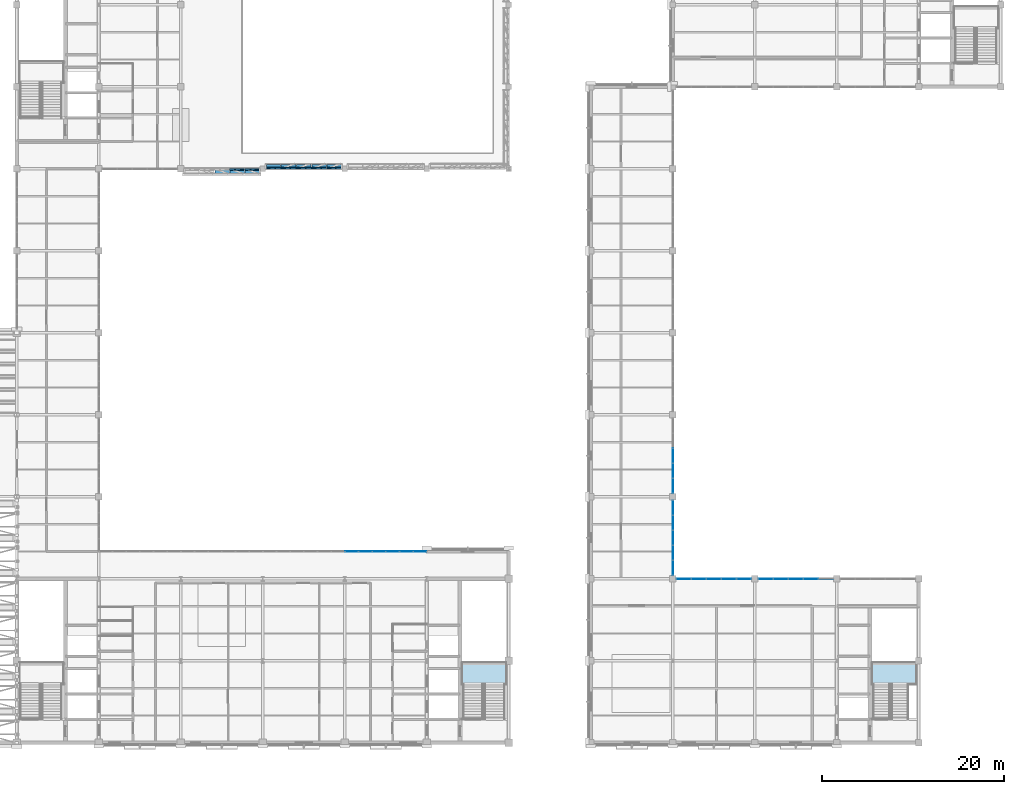
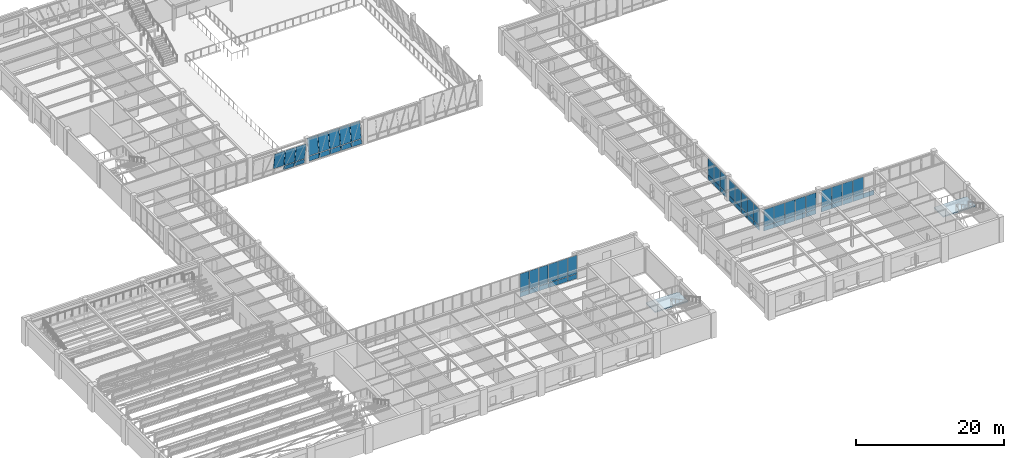
# One storey, part 82 of 108: 62 plates, 2 slabs, 9 elements without a shape of their own.
"""IFC4 building model written with IfcOpenShell, lengths in metres."""

from ifc_helpers import new_model, si_unit, direction, frame, origin, origin_2d, place, context, subcontext, project, spatial, polyline, rectangle, outline, extrude, material, layer, layer_set, type_object, element, aggregate, save


model = new_model("IFC4")

# Units and contexts
model_context = context("Model", 3, precision=1e-05, world=origin(), true_north=direction((0.0, 1.0)))
body_context = subcontext(model_context, "Body", "Model", "MODEL_VIEW")
ifc_project = project(units=[si_unit("LENGTHUNIT", "METRE"), si_unit("AREAUNIT", "SQUARE_METRE"), si_unit("VOLUMEUNIT", "CUBIC_METRE"), si_unit("PLANEANGLEUNIT", "RADIAN"), si_unit("MASSUNIT", "GRAM", prefix="KILO")], contexts=[model_context])

# Site, building, storey
site_placement = place(None, origin())
site = spatial("IfcSite", under=ifc_project, at=site_placement, CompositionType="ELEMENT")
building_placement = place(site_placement, origin())
building = spatial("IfcBuilding", under=site, at=building_placement, Name="Lykobir Media Centre", CompositionType="ELEMENT")
storey_placement = place(building_placement, frame((0.0, 0.0, 15.0)))
storey = spatial("IfcBuildingStorey", under=building, at=storey_placement, Name="L03", CompositionType="ELEMENT", Elevation=15.0)

# Curtain wall, plates
ifc_material_1 = material(Name="Anodized Aluminium AW-6060", Category="aluminium")
curtain_wall_type_1 = type_object("IfcCurtainWallType", Name="CW-COURT-B", PredefinedType="NOTDEFINED", material=ifc_material_1)
curtain_wall_1_placement = place(storey_placement, origin())
curtain_wall_1 = element("IfcCurtainWall", 1, at=curtain_wall_1_placement, inside=storey, type_object=curtain_wall_type_1, Name="Curtain wall CW2-L03-0114", PredefinedType="NOTDEFINED")
ifc_material_2 = material(Name="Low-E Laminated Triple Glazing", Category="glass")
ifc_layer_1 = layer(ifc_material_2, 0.0380859375, Name="Low-E Laminated Triple Glazing")
ifc_layer_set_1 = layer_set([ifc_layer_1], Name="Low-E Laminated Triple Glazing")
plate_type_1 = type_object("IfcPlateType", Name="CWP-GLZ-38", PredefinedType="CURTAIN_PANEL", material=ifc_layer_set_1)
plate_1_placement = place(storey_placement, frame((63.763916015625, 21.0, 0.87744140625), z_axis=(0.0, 0.0, 1.0), x_axis=(1.0, 0.0, 0.0)))
plate_1 = element("IfcPlate", 2, at=plate_1_placement, type_object=plate_type_1, Name="CW2-L03-0114 panel 1.2", PredefinedType="CURTAIN_PANEL", context=body_context, shape_type="SweptSolid", body=[
    extrude(rectangle(XDim=1.41748046875, YDim=0.0380859375, at=origin_2d()), origin(), (0.0, 0.0, 1.0), 3.007568359375),
])
plate_2_placement = place(storey_placement, frame((65.25, 21.0, 0.87744140625), z_axis=(0.0, 0.0, 1.0), x_axis=(1.0, 0.0, 0.0)))
plate_2 = element("IfcPlate", 3, at=plate_2_placement, type_object=plate_type_1, Name="CW2-L03-0114 panel 2.2", PredefinedType="CURTAIN_PANEL", context=body_context, shape_type="SweptSolid", body=[
    extrude(rectangle(XDim=1.445068359375, YDim=0.0380859375, at=origin_2d()), origin(), (0.0, 0.0, 1.0), 3.007568359375),
])
plate_3_placement = place(storey_placement, frame((66.75, 21.0, 0.87744140625), z_axis=(0.0, 0.0, 1.0), x_axis=(1.0, 0.0, 0.0)))
plate_3 = element("IfcPlate", 4, at=plate_3_placement, type_object=plate_type_1, Name="CW2-L03-0114 panel 3.2", PredefinedType="CURTAIN_PANEL", context=body_context, shape_type="SweptSolid", body=[
    extrude(rectangle(XDim=1.445068359375, YDim=0.0380859375, at=origin_2d()), origin(), (0.0, 0.0, 1.0), 3.007568359375),
])
plate_4_placement = place(storey_placement, frame((68.25, 21.0, 0.87744140625), z_axis=(0.0, 0.0, 1.0), x_axis=(1.0, 0.0, 0.0)))
plate_4 = element("IfcPlate", 5, at=plate_4_placement, type_object=plate_type_1, Name="CW2-L03-0114 panel 4.2", PredefinedType="CURTAIN_PANEL", context=body_context, shape_type="SweptSolid", body=[
    extrude(rectangle(XDim=1.445068359375, YDim=0.0380859375, at=origin_2d()), origin(), (0.0, 0.0, 1.0), 3.007568359375),
])
plate_5_placement = place(storey_placement, frame((69.75, 21.0, 0.87744140625), z_axis=(0.0, 0.0, 1.0), x_axis=(1.0, 0.0, 0.0)))
plate_5 = element("IfcPlate", 6, at=plate_5_placement, type_object=plate_type_1, Name="CW2-L03-0114 panel 5.2", PredefinedType="CURTAIN_PANEL", context=body_context, shape_type="SweptSolid", body=[
    extrude(rectangle(XDim=1.445068359375, YDim=0.0380859375, at=origin_2d()), origin(), (0.0, 0.0, 1.0), 3.007568359375),
])
plate_6_placement = place(storey_placement, frame((71.236083984375, 21.0, 0.87744140625), z_axis=(0.0, 0.0, 1.0), x_axis=(1.0, 0.0, 0.0)))
plate_6 = element("IfcPlate", 7, at=plate_6_placement, type_object=plate_type_1, Name="CW2-L03-0114 panel 6.2", PredefinedType="CURTAIN_PANEL", context=body_context, shape_type="SweptSolid", body=[
    extrude(rectangle(XDim=1.41748046875, YDim=0.0380859375, at=origin_2d()), origin(), (0.0, 0.0, 1.0), 3.007568359375),
])

curtain_wall_2_placement = place(storey_placement, origin())
curtain_wall_2 = element("IfcCurtainWall", 8, at=curtain_wall_2_placement, inside=storey, type_object=curtain_wall_type_1, Name="Curtain wall CW2-L03-0137", PredefinedType="NOTDEFINED")
plate_7_placement = place(storey_placement, frame((100.19775390625, 18.0, 0.87744140625), z_axis=(0.0, 0.0, 1.0), x_axis=(1.0, 0.0, 0.0)))
plate_7 = element("IfcPlate", 9, at=plate_7_placement, type_object=plate_type_1, Name="CW2-L03-0137 panel 1.2", PredefinedType="CURTAIN_PANEL", context=body_context, shape_type="SweptSolid", body=[
    extrude(rectangle(XDim=1.575439453125, YDim=0.0380859375, at=origin_2d()), origin(), (0.0, 0.0, 1.0), 2.702392578125),
])
plate_8_placement = place(storey_placement, frame((101.842041015625, 18.0, 0.87744140625), z_axis=(0.0, 0.0, 1.0), x_axis=(1.0, 0.0, 0.0)))
plate_8 = element("IfcPlate", 10, at=plate_8_placement, type_object=plate_type_1, Name="CW2-L03-0137 panel 2.2", PredefinedType="CURTAIN_PANEL", context=body_context, shape_type="SweptSolid", body=[
    extrude(rectangle(XDim=1.60302734375, YDim=0.0380859375, at=origin_2d()), origin(), (0.0, 0.0, 1.0), 2.702392578125),
])
plate_9_placement = place(storey_placement, frame((103.5, 18.0, 0.87744140625), z_axis=(0.0, 0.0, 1.0), x_axis=(1.0, 0.0, 0.0)))
plate_9 = element("IfcPlate", 11, at=plate_9_placement, type_object=plate_type_1, Name="CW2-L03-0137 panel 3.2", PredefinedType="CURTAIN_PANEL", context=body_context, shape_type="SweptSolid", body=[
    extrude(rectangle(XDim=1.60302734375, YDim=0.0380859375, at=origin_2d()), origin(), (0.0, 0.0, 1.0), 2.702392578125),
])
plate_10_placement = place(storey_placement, frame((105.157958984375, 18.0, 0.87744140625), z_axis=(0.0, 0.0, 1.0), x_axis=(1.0, 0.0, 0.0)))
plate_10 = element("IfcPlate", 12, at=plate_10_placement, type_object=plate_type_1, Name="CW2-L03-0137 panel 4.2", PredefinedType="CURTAIN_PANEL", context=body_context, shape_type="SweptSolid", body=[
    extrude(rectangle(XDim=1.60302734375, YDim=0.0380859375, at=origin_2d()), origin(), (0.0, 0.0, 1.0), 2.702392578125),
])
plate_11_placement = place(storey_placement, frame((106.80224609375, 18.0, 0.87744140625), z_axis=(0.0, 0.0, 1.0), x_axis=(1.0, 0.0, 0.0)))
plate_11 = element("IfcPlate", 13, at=plate_11_placement, type_object=plate_type_1, Name="CW2-L03-0137 panel 5.2", PredefinedType="CURTAIN_PANEL", context=body_context, shape_type="SweptSolid", body=[
    extrude(rectangle(XDim=1.575439453125, YDim=0.0380859375, at=origin_2d()), origin(), (0.0, 0.0, 1.0), 2.702392578125),
])

curtain_wall_3_placement = place(storey_placement, origin())
curtain_wall_3 = element("IfcCurtainWall", 14, at=curtain_wall_3_placement, inside=storey, type_object=curtain_wall_type_1, Name="Curtain wall CW2-L03-0138", PredefinedType="NOTDEFINED")
plate_12_placement = place(storey_placement, frame((109.19775390625, 18.0, 0.87744140625), z_axis=(0.0, 0.0, 1.0), x_axis=(1.0, 0.0, 0.0)))
plate_12 = element("IfcPlate", 15, at=plate_12_placement, type_object=plate_type_1, Name="CW2-L03-0138 panel 1.2", PredefinedType="CURTAIN_PANEL", context=body_context, shape_type="SweptSolid", body=[
    extrude(rectangle(XDim=1.575439453125, YDim=0.0380859375, at=origin_2d()), origin(), (0.0, 0.0, 1.0), 2.702392578125),
])
plate_13_placement = place(storey_placement, frame((110.842041015625, 18.0, 0.87744140625), z_axis=(0.0, 0.0, 1.0), x_axis=(1.0, 0.0, 0.0)))
plate_13 = element("IfcPlate", 16, at=plate_13_placement, type_object=plate_type_1, Name="CW2-L03-0138 panel 2.2", PredefinedType="CURTAIN_PANEL", context=body_context, shape_type="SweptSolid", body=[
    extrude(rectangle(XDim=1.60302734375, YDim=0.0380859375, at=origin_2d()), origin(), (0.0, 0.0, 1.0), 2.702392578125),
])
plate_14_placement = place(storey_placement, frame((112.5, 18.0, 0.87744140625), z_axis=(0.0, 0.0, 1.0), x_axis=(1.0, 0.0, 0.0)))
plate_14 = element("IfcPlate", 17, at=plate_14_placement, type_object=plate_type_1, Name="CW2-L03-0138 panel 3.2", PredefinedType="CURTAIN_PANEL", context=body_context, shape_type="SweptSolid", body=[
    extrude(rectangle(XDim=1.60302734375, YDim=0.0380859375, at=origin_2d()), origin(), (0.0, 0.0, 1.0), 2.702392578125),
])
plate_15_placement = place(storey_placement, frame((114.157958984375, 18.0, 0.87744140625), z_axis=(0.0, 0.0, 1.0), x_axis=(1.0, 0.0, 0.0)))
plate_15 = element("IfcPlate", 18, at=plate_15_placement, type_object=plate_type_1, Name="CW2-L03-0138 panel 4.2", PredefinedType="CURTAIN_PANEL", context=body_context, shape_type="SweptSolid", body=[
    extrude(rectangle(XDim=1.60302734375, YDim=0.0380859375, at=origin_2d()), origin(), (0.0, 0.0, 1.0), 2.702392578125),
])

curtain_wall_4_placement = place(storey_placement, origin())
curtain_wall_4 = element("IfcCurtainWall", 19, at=curtain_wall_4_placement, inside=storey, type_object=curtain_wall_type_1, Name="Curtain wall CW2-L03-0140", PredefinedType="NOTDEFINED")
plate_16_placement = place(storey_placement, frame((99.0, 25.80224609375, 0.87744140625), z_axis=(0.0, 0.0, 1.0), x_axis=(0.0, -1.0, 0.0)))
plate_16 = element("IfcPlate", 20, at=plate_16_placement, type_object=plate_type_1, Name="CW2-L03-0140 panel 1.2", PredefinedType="CURTAIN_PANEL", context=body_context, shape_type="SweptSolid", body=[
    extrude(rectangle(XDim=1.575439453125, YDim=0.0380859375, at=origin_2d()), origin(), (0.0, 0.0, 1.0), 2.702392578125),
])
plate_17_placement = place(storey_placement, frame((99.0, 24.157958984375, 0.87744140625), z_axis=(0.0, 0.0, 1.0), x_axis=(0.0, -1.0, 0.0)))
plate_17 = element("IfcPlate", 21, at=plate_17_placement, type_object=plate_type_1, Name="CW2-L03-0140 panel 2.2", PredefinedType="CURTAIN_PANEL", context=body_context, shape_type="SweptSolid", body=[
    extrude(rectangle(XDim=1.60302734375, YDim=0.0380859375, at=origin_2d()), origin(), (0.0, 0.0, 1.0), 2.702392578125),
])
plate_18_placement = place(storey_placement, frame((99.0, 22.5, 0.87744140625), z_axis=(0.0, 0.0, 1.0), x_axis=(0.0, -1.0, 0.0)))
plate_18 = element("IfcPlate", 22, at=plate_18_placement, type_object=plate_type_1, Name="CW2-L03-0140 panel 3.2", PredefinedType="CURTAIN_PANEL", context=body_context, shape_type="SweptSolid", body=[
    extrude(rectangle(XDim=1.60302734375, YDim=0.0380859375, at=origin_2d()), origin(), (0.0, 0.0, 1.0), 2.702392578125),
])
plate_19_placement = place(storey_placement, frame((99.0, 20.842041015625, 0.87744140625), z_axis=(0.0, 0.0, 1.0), x_axis=(0.0, -1.0, 0.0)))
plate_19 = element("IfcPlate", 23, at=plate_19_placement, type_object=plate_type_1, Name="CW2-L03-0140 panel 4.2", PredefinedType="CURTAIN_PANEL", context=body_context, shape_type="SweptSolid", body=[
    extrude(rectangle(XDim=1.60302734375, YDim=0.0380859375, at=origin_2d()), origin(), (0.0, 0.0, 1.0), 2.702392578125),
])
plate_20_placement = place(storey_placement, frame((99.0, 19.19775390625, 0.87744140625), z_axis=(0.0, 0.0, 1.0), x_axis=(0.0, -1.0, 0.0)))
plate_20 = element("IfcPlate", 24, at=plate_20_placement, type_object=plate_type_1, Name="CW2-L03-0140 panel 5.2", PredefinedType="CURTAIN_PANEL", context=body_context, shape_type="SweptSolid", body=[
    extrude(rectangle(XDim=1.575439453125, YDim=0.0380859375, at=origin_2d()), origin(), (0.0, 0.0, 1.0), 2.702392578125),
])

curtain_wall_5_placement = place(storey_placement, origin())
curtain_wall_5 = element("IfcCurtainWall", 25, at=curtain_wall_5_placement, inside=storey, type_object=curtain_wall_type_1, Name="Curtain wall CW2-L03-0141", PredefinedType="NOTDEFINED")
plate_21_placement = place(storey_placement, frame((99.0, 31.5, 0.87744140625), z_axis=(0.0, 0.0, 1.0), x_axis=(0.0, -1.0, 0.0)))
plate_21 = element("IfcPlate", 26, at=plate_21_placement, type_object=plate_type_1, Name="CW2-L03-0141 panel 3.2", PredefinedType="CURTAIN_PANEL", context=body_context, shape_type="SweptSolid", body=[
    extrude(rectangle(XDim=1.60302734375, YDim=0.0380859375, at=origin_2d()), origin(), (0.0, 0.0, 1.0), 2.702392578125),
])
plate_22_placement = place(storey_placement, frame((99.0, 29.842041015625, 0.87744140625), z_axis=(0.0, 0.0, 1.0), x_axis=(0.0, -1.0, 0.0)))
plate_22 = element("IfcPlate", 27, at=plate_22_placement, type_object=plate_type_1, Name="CW2-L03-0141 panel 4.2", PredefinedType="CURTAIN_PANEL", context=body_context, shape_type="SweptSolid", body=[
    extrude(rectangle(XDim=1.60302734375, YDim=0.0380859375, at=origin_2d()), origin(), (0.0, 0.0, 1.0), 2.702392578125),
])
plate_23_placement = place(storey_placement, frame((99.0, 28.19775390625, 0.87744140625), z_axis=(0.0, 0.0, 1.0), x_axis=(0.0, -1.0, 0.0)))
plate_23 = element("IfcPlate", 28, at=plate_23_placement, type_object=plate_type_1, Name="CW2-L03-0141 panel 5.2", PredefinedType="CURTAIN_PANEL", context=body_context, shape_type="SweptSolid", body=[
    extrude(rectangle(XDim=1.575439453125, YDim=0.0380859375, at=origin_2d()), origin(), (0.0, 0.0, 1.0), 2.702392578125),
])

curtain_wall_type_2 = type_object("IfcCurtainWallType", Name="CW-V6-CR3", PredefinedType="NOTDEFINED", material=ifc_material_1)
curtain_wall_6_placement = place(storey_placement, origin())
curtain_wall_6 = element("IfcCurtainWall", 29, at=curtain_wall_6_placement, inside=storey, type_object=curtain_wall_type_2, Name="Curtain wall CW2-L03-0121", PredefinedType="NOTDEFINED")
ifc_layer_2 = layer(ifc_material_2, 0.0439453125, Name="Low-E Laminated Triple Glazing")
ifc_layer_set_2 = layer_set([ifc_layer_2], Name="Low-E Laminated Triple Glazing")
plate_type_2 = type_object("IfcPlateType", Name="CWP-GLZ-44", PredefinedType="CURTAIN_PANEL", material=ifc_layer_set_2)
plate_24_placement = place(storey_placement, frame((49.52490234375, 62.873291015625, 0.87841796875), z_axis=(0.0, -0.142628933706, 0.989776230908), x_axis=(1.0, 0.0, 0.0)))
plate_24 = element("IfcPlate", 30, at=plate_24_placement, type_object=plate_type_2, Name="CW2-L03-0121 panel 3.2", PredefinedType="CURTAIN_PANEL", context=body_context, shape_type="SweptSolid", body=[
    extrude(rectangle(XDim=1.593017578125, YDim=0.0439453125, at=origin_2d()), origin(), (0.0, 0.0, 1.0), 2.7099609375),
])
plate_25_placement = place(storey_placement, frame((51.193115234375, 62.873291015625, 0.87841796875), z_axis=(0.0, -0.142628933706, 0.989776230908), x_axis=(1.0, 0.0, 0.0)))
plate_25 = element("IfcPlate", 31, at=plate_25_placement, type_object=plate_type_2, Name="CW2-L03-0121 panel 4.2", PredefinedType="CURTAIN_PANEL", context=body_context, shape_type="SweptSolid", body=[
    extrude(rectangle(XDim=1.593017578125, YDim=0.0439453125, at=origin_2d()), origin(), (0.0, 0.0, 1.0), 2.7099609375),
])
plate_26_placement = place(storey_placement, frame((52.84228515625, 62.873291015625, 0.87841796875), z_axis=(0.0, -0.142628933706, 0.989776230908), x_axis=(1.0, 0.0, 0.0)))
plate_26 = element("IfcPlate", 32, at=plate_26_placement, type_object=plate_type_2, Name="CW2-L03-0121 panel 5.2", PredefinedType="CURTAIN_PANEL", context=body_context, shape_type="SweptSolid", body=[
    extrude(rectangle(XDim=1.555419921875, YDim=0.0439453125, at=origin_2d()), origin(), (0.0, 0.0, 1.0), 2.7099609375),
])

curtain_wall_7_placement = place(storey_placement, origin())
curtain_wall_7 = element("IfcCurtainWall", 33, at=curtain_wall_7_placement, inside=storey, type_object=curtain_wall_type_2, Name="Curtain wall CW2-L03-0122", PredefinedType="NOTDEFINED")
plate_27_placement = place(storey_placement, frame((61.837158203125, 63.126708984375, 0.87841796875), z_axis=(0.0, 0.142628933706, 0.989776230908), x_axis=(-1.0, 0.0, 0.0)))
plate_27 = element("IfcPlate", 34, at=plate_27_placement, type_object=plate_type_2, Name="CW2-L03-0122 panel 1.2", PredefinedType="CURTAIN_PANEL", context=body_context, shape_type="SweptSolid", body=[
    extrude(rectangle(XDim=1.5654296875, YDim=0.0439453125, at=origin_2d()), origin(), (0.0, 0.0, 1.0), 2.7099609375),
])
plate_28_placement = place(storey_placement, frame((60.177978515625, 63.126708984375, 0.87841796875), z_axis=(0.0, 0.142628933706, 0.989776230908), x_axis=(-1.0, 0.0, 0.0)))
plate_28 = element("IfcPlate", 35, at=plate_28_placement, type_object=plate_type_2, Name="CW2-L03-0122 panel 2.2", PredefinedType="CURTAIN_PANEL", context=body_context, shape_type="SweptSolid", body=[
    extrude(rectangle(XDim=1.60302734375, YDim=0.0439453125, at=origin_2d()), origin(), (0.0, 0.0, 1.0), 2.7099609375),
])
plate_29_placement = place(storey_placement, frame((58.5, 63.126708984375, 0.87841796875), z_axis=(0.0, 0.142628933706, 0.989776230908), x_axis=(-1.0, 0.0, 0.0)))
plate_29 = element("IfcPlate", 36, at=plate_29_placement, type_object=plate_type_2, Name="CW2-L03-0122 panel 3.2", PredefinedType="CURTAIN_PANEL", context=body_context, shape_type="SweptSolid", body=[
    extrude(rectangle(XDim=1.60302734375, YDim=0.0439453125, at=origin_2d()), origin(), (0.0, 0.0, 1.0), 2.7099609375),
])
plate_30_placement = place(storey_placement, frame((56.822021484375, 63.126708984375, 0.87841796875), z_axis=(0.0, 0.142628933706, 0.989776230908), x_axis=(-1.0, 0.0, 0.0)))
plate_30 = element("IfcPlate", 37, at=plate_30_placement, type_object=plate_type_2, Name="CW2-L03-0122 panel 4.2", PredefinedType="CURTAIN_PANEL", context=body_context, shape_type="SweptSolid", body=[
    extrude(rectangle(XDim=1.60302734375, YDim=0.0439453125, at=origin_2d()), origin(), (0.0, 0.0, 1.0), 2.7099609375),
])
plate_31_placement = place(storey_placement, frame((55.162841796875, 63.126708984375, 0.87841796875), z_axis=(0.0, 0.142628933706, 0.989776230908), x_axis=(-1.0, 0.0, 0.0)))
plate_31 = element("IfcPlate", 38, at=plate_31_placement, type_object=plate_type_2, Name="CW2-L03-0122 panel 5.2", PredefinedType="CURTAIN_PANEL", context=body_context, shape_type="SweptSolid", body=[
    extrude(rectangle(XDim=1.5654296875, YDim=0.0439453125, at=origin_2d()), origin(), (0.0, 0.0, 1.0), 2.7099609375),
])

# Plate
ifc_material_3 = material(Name="Pre-Weathered Titanium-Zinc", Category="metal")
ifc_layer_3 = layer(ifc_material_3, 0.052001953125, Name="Pre-Weathered Titanium-Zinc")
ifc_layer_set_3 = layer_set([ifc_layer_3], Name="Pre-Weathered Titanium-Zinc")
plate_type_3 = type_object("IfcPlateType", Name="CWP-SPN-52", PredefinedType="CURTAIN_PANEL", material=ifc_layer_set_3)
plate_32_placement = place(storey_placement, frame((63.763916015625, 21.0, 0.054931640625), z_axis=(0.0, 0.0, 1.0), x_axis=(1.0, 0.0, 0.0)))
plate_32 = element("IfcPlate", 39, at=plate_32_placement, type_object=plate_type_3, Name="CW2-L03-0114 panel 1.1", PredefinedType="CURTAIN_PANEL", context=body_context, shape_type="SweptSolid", body=[
    extrude(rectangle(XDim=1.41748046875, YDim=0.052001953125, at=origin_2d()), origin(), (0.0, 0.0, 1.0), 0.767578125),
])

plate_33_placement = place(storey_placement, frame((65.25, 21.0, 0.054931640625), z_axis=(0.0, 0.0, 1.0), x_axis=(1.0, 0.0, 0.0)))
plate_33 = element("IfcPlate", 40, at=plate_33_placement, type_object=plate_type_3, Name="CW2-L03-0114 panel 2.1", PredefinedType="CURTAIN_PANEL", context=body_context, shape_type="SweptSolid", body=[
    extrude(rectangle(XDim=1.445068359375, YDim=0.052001953125, at=origin_2d()), origin(), (0.0, 0.0, 1.0), 0.767578125),
])

plate_34_placement = place(storey_placement, frame((66.75, 21.0, 0.054931640625), z_axis=(0.0, 0.0, 1.0), x_axis=(1.0, 0.0, 0.0)))
plate_34 = element("IfcPlate", 41, at=plate_34_placement, type_object=plate_type_3, Name="CW2-L03-0114 panel 3.1", PredefinedType="CURTAIN_PANEL", context=body_context, shape_type="SweptSolid", body=[
    extrude(rectangle(XDim=1.445068359375, YDim=0.052001953125, at=origin_2d()), origin(), (0.0, 0.0, 1.0), 0.767578125),
])

plate_35_placement = place(storey_placement, frame((68.25, 21.0, 0.054931640625), z_axis=(0.0, 0.0, 1.0), x_axis=(1.0, 0.0, 0.0)))
plate_35 = element("IfcPlate", 42, at=plate_35_placement, type_object=plate_type_3, Name="CW2-L03-0114 panel 4.1", PredefinedType="CURTAIN_PANEL", context=body_context, shape_type="SweptSolid", body=[
    extrude(rectangle(XDim=1.445068359375, YDim=0.052001953125, at=origin_2d()), origin(), (0.0, 0.0, 1.0), 0.767578125),
])

plate_36_placement = place(storey_placement, frame((69.75, 21.0, 0.054931640625), z_axis=(0.0, 0.0, 1.0), x_axis=(1.0, 0.0, 0.0)))
plate_36 = element("IfcPlate", 43, at=plate_36_placement, type_object=plate_type_3, Name="CW2-L03-0114 panel 5.1", PredefinedType="CURTAIN_PANEL", context=body_context, shape_type="SweptSolid", body=[
    extrude(rectangle(XDim=1.445068359375, YDim=0.052001953125, at=origin_2d()), origin(), (0.0, 0.0, 1.0), 0.767578125),
])

plate_37_placement = place(storey_placement, frame((71.236083984375, 21.0, 0.054931640625), z_axis=(0.0, 0.0, 1.0), x_axis=(1.0, 0.0, 0.0)))
plate_37 = element("IfcPlate", 44, at=plate_37_placement, type_object=plate_type_3, Name="CW2-L03-0114 panel 6.1", PredefinedType="CURTAIN_PANEL", context=body_context, shape_type="SweptSolid", body=[
    extrude(rectangle(XDim=1.41748046875, YDim=0.052001953125, at=origin_2d()), origin(), (0.0, 0.0, 1.0), 0.767578125),
])

aggregate(curtain_wall_1, [plate_32, plate_1, plate_33, plate_2, plate_34, plate_3, plate_35, plate_4, plate_36, plate_5, plate_37, plate_6])

plate_38_placement = place(storey_placement, frame((61.837158203125, 63.0107421875, 0.07421875), z_axis=(0.0, 0.142628933706, 0.989776230908), x_axis=(-1.0, 0.0, 0.0)))
plate_38 = element("IfcPlate", 45, at=plate_38_placement, type_object=plate_type_3, Name="CW2-L03-0122 panel 1.1", PredefinedType="CURTAIN_PANEL", context=body_context, shape_type="SweptSolid", body=[
    extrude(rectangle(XDim=1.5654296875, YDim=0.052001953125, at=origin_2d()), origin(), (0.0, 0.0, 1.0), 0.737548828125),
])

plate_39_placement = place(storey_placement, frame((60.177978515625, 63.0107421875, 0.07421875), z_axis=(0.0, 0.142628933706, 0.989776230908), x_axis=(-1.0, 0.0, 0.0)))
plate_39 = element("IfcPlate", 46, at=plate_39_placement, type_object=plate_type_3, Name="CW2-L03-0122 panel 2.1", PredefinedType="CURTAIN_PANEL", context=body_context, shape_type="SweptSolid", body=[
    extrude(rectangle(XDim=1.60302734375, YDim=0.052001953125, at=origin_2d()), origin(), (0.0, 0.0, 1.0), 0.737548828125),
])

plate_40_placement = place(storey_placement, frame((58.5, 63.0107421875, 0.07421875), z_axis=(0.0, 0.142628933706, 0.989776230908), x_axis=(-1.0, 0.0, 0.0)))
plate_40 = element("IfcPlate", 47, at=plate_40_placement, type_object=plate_type_3, Name="CW2-L03-0122 panel 3.1", PredefinedType="CURTAIN_PANEL", context=body_context, shape_type="SweptSolid", body=[
    extrude(rectangle(XDim=1.60302734375, YDim=0.052001953125, at=origin_2d()), origin(), (0.0, 0.0, 1.0), 0.737548828125),
])

plate_41_placement = place(storey_placement, frame((56.822021484375, 63.0107421875, 0.07421875), z_axis=(0.0, 0.142628933706, 0.989776230908), x_axis=(-1.0, 0.0, 0.0)))
plate_41 = element("IfcPlate", 48, at=plate_41_placement, type_object=plate_type_3, Name="CW2-L03-0122 panel 4.1", PredefinedType="CURTAIN_PANEL", context=body_context, shape_type="SweptSolid", body=[
    extrude(rectangle(XDim=1.60302734375, YDim=0.052001953125, at=origin_2d()), origin(), (0.0, 0.0, 1.0), 0.737548828125),
])

plate_42_placement = place(storey_placement, frame((55.162841796875, 63.0107421875, 0.07421875), z_axis=(0.0, 0.142628933706, 0.989776230908), x_axis=(-1.0, 0.0, 0.0)))
plate_42 = element("IfcPlate", 49, at=plate_42_placement, type_object=plate_type_3, Name="CW2-L03-0122 panel 5.1", PredefinedType="CURTAIN_PANEL", context=body_context, shape_type="SweptSolid", body=[
    extrude(rectangle(XDim=1.5654296875, YDim=0.052001953125, at=origin_2d()), origin(), (0.0, 0.0, 1.0), 0.737548828125),
])

aggregate(curtain_wall_7, [plate_38, plate_27, plate_39, plate_28, plate_40, plate_29, plate_41, plate_30, plate_42, plate_31])

plate_43_placement = place(storey_placement, frame((100.19775390625, 18.0, 0.054931640625), z_axis=(0.0, 0.0, 1.0), x_axis=(1.0, 0.0, 0.0)))
plate_43 = element("IfcPlate", 50, at=plate_43_placement, type_object=plate_type_3, Name="CW2-L03-0137 panel 1.1", PredefinedType="CURTAIN_PANEL", context=body_context, shape_type="SweptSolid", body=[
    extrude(rectangle(XDim=1.575439453125, YDim=0.052001953125, at=origin_2d()), origin(), (0.0, 0.0, 1.0), 0.767578125),
])

plate_44_placement = place(storey_placement, frame((101.842041015625, 18.0, 0.054931640625), z_axis=(0.0, 0.0, 1.0), x_axis=(1.0, 0.0, 0.0)))
plate_44 = element("IfcPlate", 51, at=plate_44_placement, type_object=plate_type_3, Name="CW2-L03-0137 panel 2.1", PredefinedType="CURTAIN_PANEL", context=body_context, shape_type="SweptSolid", body=[
    extrude(rectangle(XDim=1.60302734375, YDim=0.052001953125, at=origin_2d()), origin(), (0.0, 0.0, 1.0), 0.767578125),
])

plate_45_placement = place(storey_placement, frame((103.5, 18.0, 0.054931640625), z_axis=(0.0, 0.0, 1.0), x_axis=(1.0, 0.0, 0.0)))
plate_45 = element("IfcPlate", 52, at=plate_45_placement, type_object=plate_type_3, Name="CW2-L03-0137 panel 3.1", PredefinedType="CURTAIN_PANEL", context=body_context, shape_type="SweptSolid", body=[
    extrude(rectangle(XDim=1.60302734375, YDim=0.052001953125, at=origin_2d()), origin(), (0.0, 0.0, 1.0), 0.767578125),
])

plate_46_placement = place(storey_placement, frame((105.157958984375, 18.0, 0.054931640625), z_axis=(0.0, 0.0, 1.0), x_axis=(1.0, 0.0, 0.0)))
plate_46 = element("IfcPlate", 53, at=plate_46_placement, type_object=plate_type_3, Name="CW2-L03-0137 panel 4.1", PredefinedType="CURTAIN_PANEL", context=body_context, shape_type="SweptSolid", body=[
    extrude(rectangle(XDim=1.60302734375, YDim=0.052001953125, at=origin_2d()), origin(), (0.0, 0.0, 1.0), 0.767578125),
])

plate_47_placement = place(storey_placement, frame((106.80224609375, 18.0, 0.054931640625), z_axis=(0.0, 0.0, 1.0), x_axis=(1.0, 0.0, 0.0)))
plate_47 = element("IfcPlate", 54, at=plate_47_placement, type_object=plate_type_3, Name="CW2-L03-0137 panel 5.1", PredefinedType="CURTAIN_PANEL", context=body_context, shape_type="SweptSolid", body=[
    extrude(rectangle(XDim=1.575439453125, YDim=0.052001953125, at=origin_2d()), origin(), (0.0, 0.0, 1.0), 0.767578125),
])

aggregate(curtain_wall_2, [plate_43, plate_7, plate_44, plate_8, plate_45, plate_9, plate_46, plate_10, plate_47, plate_11])

plate_48_placement = place(storey_placement, frame((109.19775390625, 18.0, 0.054931640625), z_axis=(0.0, 0.0, 1.0), x_axis=(1.0, 0.0, 0.0)))
plate_48 = element("IfcPlate", 55, at=plate_48_placement, type_object=plate_type_3, Name="CW2-L03-0138 panel 1.1", PredefinedType="CURTAIN_PANEL", context=body_context, shape_type="SweptSolid", body=[
    extrude(rectangle(XDim=1.575439453125, YDim=0.052001953125, at=origin_2d()), origin(), (0.0, 0.0, 1.0), 0.767578125),
])

plate_49_placement = place(storey_placement, frame((110.842041015625, 18.0, 0.054931640625), z_axis=(0.0, 0.0, 1.0), x_axis=(1.0, 0.0, 0.0)))
plate_49 = element("IfcPlate", 56, at=plate_49_placement, type_object=plate_type_3, Name="CW2-L03-0138 panel 2.1", PredefinedType="CURTAIN_PANEL", context=body_context, shape_type="SweptSolid", body=[
    extrude(rectangle(XDim=1.60302734375, YDim=0.052001953125, at=origin_2d()), origin(), (0.0, 0.0, 1.0), 0.767578125),
])

plate_50_placement = place(storey_placement, frame((112.5, 18.0, 0.054931640625), z_axis=(0.0, 0.0, 1.0), x_axis=(1.0, 0.0, 0.0)))
plate_50 = element("IfcPlate", 57, at=plate_50_placement, type_object=plate_type_3, Name="CW2-L03-0138 panel 3.1", PredefinedType="CURTAIN_PANEL", context=body_context, shape_type="SweptSolid", body=[
    extrude(rectangle(XDim=1.60302734375, YDim=0.052001953125, at=origin_2d()), origin(), (0.0, 0.0, 1.0), 0.767578125),
])

plate_51_placement = place(storey_placement, frame((114.157958984375, 18.0, 0.054931640625), z_axis=(0.0, 0.0, 1.0), x_axis=(1.0, 0.0, 0.0)))
plate_51 = element("IfcPlate", 58, at=plate_51_placement, type_object=plate_type_3, Name="CW2-L03-0138 panel 4.1", PredefinedType="CURTAIN_PANEL", context=body_context, shape_type="SweptSolid", body=[
    extrude(rectangle(XDim=1.60302734375, YDim=0.052001953125, at=origin_2d()), origin(), (0.0, 0.0, 1.0), 0.767578125),
])

plate_52_placement = place(storey_placement, frame((115.80224609375, 18.0, 0.054931640625), z_axis=(0.0, 0.0, 1.0), x_axis=(1.0, 0.0, 0.0)))
plate_52 = element("IfcPlate", 59, at=plate_52_placement, type_object=plate_type_3, Name="CW2-L03-0138 panel 5.1", PredefinedType="CURTAIN_PANEL", context=body_context, shape_type="SweptSolid", body=[
    extrude(rectangle(XDim=1.575439453125, YDim=0.052001953125, at=origin_2d()), origin(), (0.0, 0.0, 1.0), 0.767578125),
])

aggregate(curtain_wall_3, [plate_48, plate_12, plate_49, plate_13, plate_50, plate_14, plate_51, plate_15, plate_52])

plate_53_placement = place(storey_placement, frame((99.0, 25.80224609375, 0.054931640625), z_axis=(0.0, 0.0, 1.0), x_axis=(0.0, -1.0, 0.0)))
plate_53 = element("IfcPlate", 60, at=plate_53_placement, type_object=plate_type_3, Name="CW2-L03-0140 panel 1.1", PredefinedType="CURTAIN_PANEL", context=body_context, shape_type="SweptSolid", body=[
    extrude(rectangle(XDim=1.575439453125, YDim=0.052001953125, at=origin_2d()), origin(), (0.0, 0.0, 1.0), 0.767578125),
])

plate_54_placement = place(storey_placement, frame((99.0, 24.157958984375, 0.054931640625), z_axis=(0.0, 0.0, 1.0), x_axis=(0.0, -1.0, 0.0)))
plate_54 = element("IfcPlate", 61, at=plate_54_placement, type_object=plate_type_3, Name="CW2-L03-0140 panel 2.1", PredefinedType="CURTAIN_PANEL", context=body_context, shape_type="SweptSolid", body=[
    extrude(rectangle(XDim=1.60302734375, YDim=0.052001953125, at=origin_2d()), origin(), (0.0, 0.0, 1.0), 0.767578125),
])

plate_55_placement = place(storey_placement, frame((99.0, 22.5, 0.054931640625), z_axis=(0.0, 0.0, 1.0), x_axis=(0.0, -1.0, 0.0)))
plate_55 = element("IfcPlate", 62, at=plate_55_placement, type_object=plate_type_3, Name="CW2-L03-0140 panel 3.1", PredefinedType="CURTAIN_PANEL", context=body_context, shape_type="SweptSolid", body=[
    extrude(rectangle(XDim=1.60302734375, YDim=0.052001953125, at=origin_2d()), origin(), (0.0, 0.0, 1.0), 0.767578125),
])

plate_56_placement = place(storey_placement, frame((99.0, 20.842041015625, 0.054931640625), z_axis=(0.0, 0.0, 1.0), x_axis=(0.0, -1.0, 0.0)))
plate_56 = element("IfcPlate", 63, at=plate_56_placement, type_object=plate_type_3, Name="CW2-L03-0140 panel 4.1", PredefinedType="CURTAIN_PANEL", context=body_context, shape_type="SweptSolid", body=[
    extrude(rectangle(XDim=1.60302734375, YDim=0.052001953125, at=origin_2d()), origin(), (0.0, 0.0, 1.0), 0.767578125),
])

plate_57_placement = place(storey_placement, frame((99.0, 19.19775390625, 0.054931640625), z_axis=(0.0, 0.0, 1.0), x_axis=(0.0, -1.0, 0.0)))
plate_57 = element("IfcPlate", 64, at=plate_57_placement, type_object=plate_type_3, Name="CW2-L03-0140 panel 5.1", PredefinedType="CURTAIN_PANEL", context=body_context, shape_type="SweptSolid", body=[
    extrude(rectangle(XDim=1.575439453125, YDim=0.052001953125, at=origin_2d()), origin(), (0.0, 0.0, 1.0), 0.767578125),
])

aggregate(curtain_wall_4, [plate_53, plate_16, plate_54, plate_17, plate_55, plate_18, plate_56, plate_19, plate_57, plate_20])

plate_58_placement = place(storey_placement, frame((99.0, 31.5, 0.054931640625), z_axis=(0.0, 0.0, 1.0), x_axis=(0.0, -1.0, 0.0)))
plate_58 = element("IfcPlate", 65, at=plate_58_placement, type_object=plate_type_3, Name="CW2-L03-0141 panel 3.1", PredefinedType="CURTAIN_PANEL", context=body_context, shape_type="SweptSolid", body=[
    extrude(rectangle(XDim=1.60302734375, YDim=0.052001953125, at=origin_2d()), origin(), (0.0, 0.0, 1.0), 0.767578125),
])

plate_59_placement = place(storey_placement, frame((99.0, 29.842041015625, 0.054931640625), z_axis=(0.0, 0.0, 1.0), x_axis=(0.0, -1.0, 0.0)))
plate_59 = element("IfcPlate", 66, at=plate_59_placement, type_object=plate_type_3, Name="CW2-L03-0141 panel 4.1", PredefinedType="CURTAIN_PANEL", context=body_context, shape_type="SweptSolid", body=[
    extrude(rectangle(XDim=1.60302734375, YDim=0.052001953125, at=origin_2d()), origin(), (0.0, 0.0, 1.0), 0.767578125),
])

plate_60_placement = place(storey_placement, frame((99.0, 28.19775390625, 0.054931640625), z_axis=(0.0, 0.0, 1.0), x_axis=(0.0, -1.0, 0.0)))
plate_60 = element("IfcPlate", 67, at=plate_60_placement, type_object=plate_type_3, Name="CW2-L03-0141 panel 5.1", PredefinedType="CURTAIN_PANEL", context=body_context, shape_type="SweptSolid", body=[
    extrude(rectangle(XDim=1.575439453125, YDim=0.052001953125, at=origin_2d()), origin(), (0.0, 0.0, 1.0), 0.767578125),
])

aggregate(curtain_wall_5, [plate_58, plate_21, plate_59, plate_22, plate_60, plate_23])

ifc_material_4 = material(Name="Glazed Turquoise Terracotta", Category="masonry")
ifc_layer_4 = layer(ifc_material_4, 0.06005859375, Name="Glazed Turquoise Terracotta")
ifc_layer_set_4 = layer_set([ifc_layer_4], Name="Glazed Turquoise Terracotta")
plate_type_4 = type_object("IfcPlateType", Name="CWP-SPN-60", PredefinedType="CURTAIN_PANEL", material=ifc_layer_set_4)
plate_61_placement = place(storey_placement, frame((51.193115234375, 62.9892578125, 0.07421875), z_axis=(0.0, -0.142628933706, 0.989776230908), x_axis=(1.0, 0.0, 0.0)))
plate_61 = element("IfcPlate", 68, at=plate_61_placement, type_object=plate_type_4, Name="CW2-L03-0121 panel 4.1", PredefinedType="CURTAIN_PANEL", context=body_context, shape_type="SweptSolid", body=[
    extrude(rectangle(XDim=1.593017578125, YDim=0.06005859375, at=origin_2d()), origin(), (0.0, 0.0, 1.0), 0.737548828125),
])

plate_62_placement = place(storey_placement, frame((52.84228515625, 62.9892578125, 0.07421875), z_axis=(0.0, -0.142628933706, 0.989776230908), x_axis=(1.0, 0.0, 0.0)))
plate_62 = element("IfcPlate", 69, at=plate_62_placement, type_object=plate_type_4, Name="CW2-L03-0121 panel 5.1", PredefinedType="CURTAIN_PANEL", context=body_context, shape_type="SweptSolid", body=[
    extrude(rectangle(XDim=1.555419921875, YDim=0.06005859375, at=origin_2d()), origin(), (0.0, 0.0, 1.0), 0.737548828125),
])

aggregate(curtain_wall_6, [plate_24, plate_61, plate_25, plate_62, plate_26])

# Stair, slab
ifc_material_5 = material(Name="Concrete C30/37", Category="concrete")
stair_type_1 = type_object("IfcStairType", Name="ST-AUX-420", PredefinedType="HALF_TURN_STAIR", material=ifc_material_5)
stair_1_placement = place(storey_placement, origin())
stair_1 = element("IfcStair", 70, at=stair_1_placement, inside=storey, type_object=stair_type_1, Name="Escape stair ST-5 L03", PredefinedType="HALF_TURN_STAIR")
ifc_layer_5 = layer(ifc_material_5, 0.18505859375, Name="Concrete C30/37")
ifc_layer_set_5 = layer_set([ifc_layer_5], Name="Concrete C30/37")
slab_type_1 = type_object("IfcSlabType", Name="SL-185", PredefinedType="LANDING", material=ifc_layer_set_5)
slab_1_placement = place(storey_placement, frame((0.0, 0.0, 1.9150390625)))
slab_1 = element("IfcSlab", 71, at=slab_1_placement, type_object=slab_type_1, Name="ST-5-L03 landing 1", PredefinedType="LANDING", context=body_context, shape_type="SweptSolid", body=[
    extrude(outline(polyline([(120.72998046875, 6.35009765625), (125.8701171875, 6.35009765625), (125.8701171875, 8.830078125), (120.72998046875, 8.830078125), (120.72998046875, 6.35009765625)])), origin(), (0.0, 0.0, 1.0), 0.18505859375),
])
aggregate(stair_1, [slab_1])

stair_type_2 = type_object("IfcStairType", Name="ST-HT-420", PredefinedType="HALF_TURN_STAIR", material=ifc_material_5)
stair_2_placement = place(storey_placement, origin())
stair_2 = element("IfcStair", 72, at=stair_2_placement, inside=storey, type_object=stair_type_2, Name="Escape stair ST-2 L03", PredefinedType="HALF_TURN_STAIR")
ifc_layer_6 = layer(ifc_material_5, 0.195068359375, Name="Concrete C30/37")
ifc_layer_set_6 = layer_set([ifc_layer_6], Name="Concrete C30/37")
slab_type_2 = type_object("IfcSlabType", Name="SL-195", PredefinedType="LANDING", material=ifc_layer_set_6)
slab_2_placement = place(storey_placement, frame((0.0, 0.0, 1.905029296875)))
slab_2 = element("IfcSlab", 73, at=slab_2_placement, type_object=slab_type_2, Name="ST-2-L03 landing 1", PredefinedType="LANDING", context=body_context, shape_type="SweptSolid", body=[
    extrude(outline(polyline([(75.72998046875, 6.35009765625), (80.8701171875, 6.35009765625), (80.8701171875, 8.830078125), (75.72998046875, 8.830078125), (75.72998046875, 6.35009765625)])), origin(), (0.0, 0.0, 1.0), 0.195068359375),
])
aggregate(stair_2, [slab_2])

save(model, "model.ifc")
